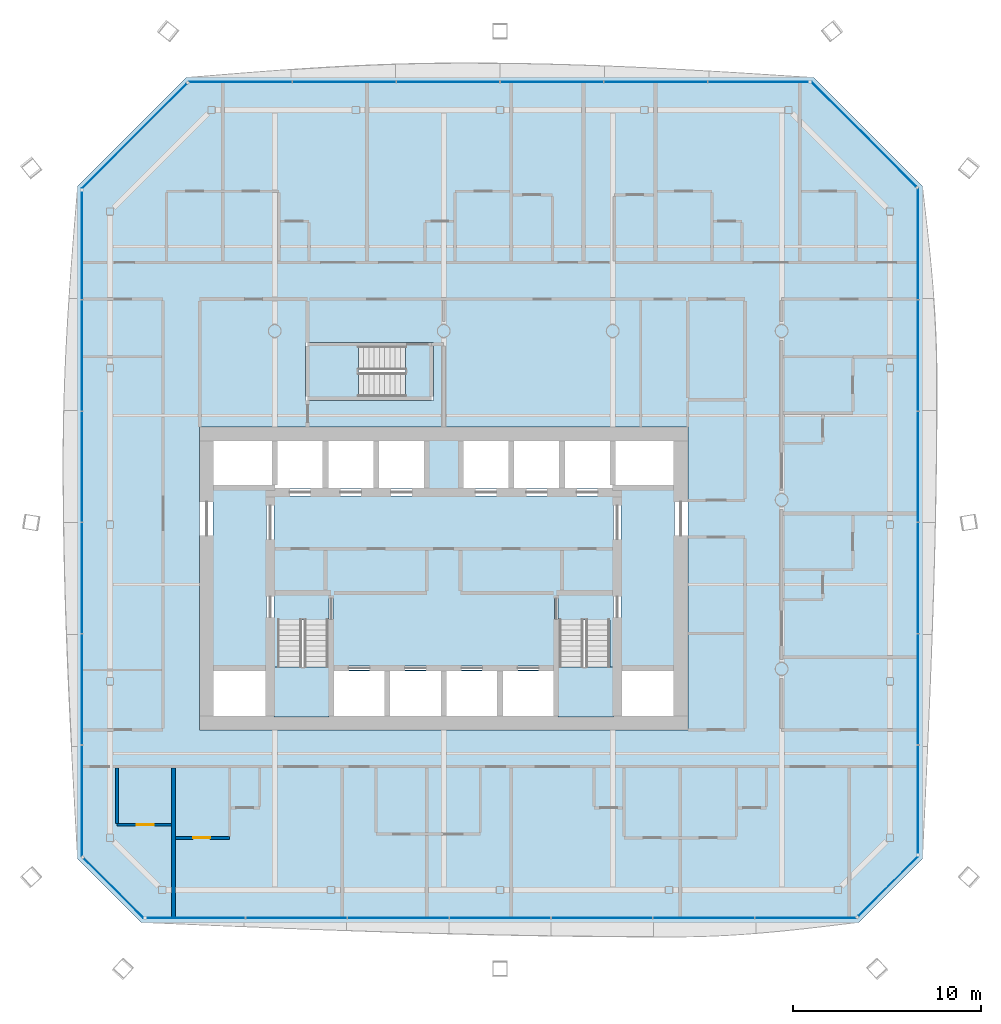
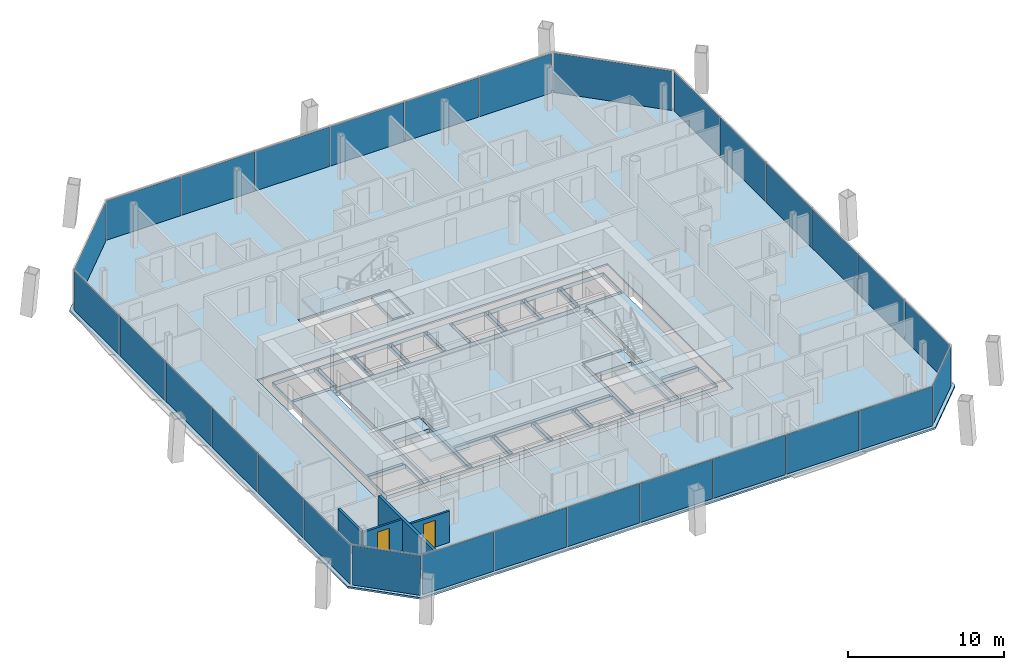
# One storey, part 12 of 21: 29 plates, 6 slabs, 4 walls, 2 doors, 2 openings, 11 elements without a shape of their own.
"""IFC4 building model written with IfcOpenShell, lengths in metres."""

from ifc_helpers import new_model, si_unit, direction, frame, frame_2d, origin, origin_2d, place, context, subcontext, project, spatial, polyline, rectangle, outline, extrude, material, layer, layer_set, type_object, element, fill, aggregate, save


model = new_model("IFC4")

# Units and contexts
model_context = context("Model", 3, precision=1e-05, world=origin(), true_north=direction((0.0, 1.0)))
body_context = subcontext(model_context, "Body", "Model", "MODEL_VIEW")
ifc_project = project(units=[si_unit("LENGTHUNIT", "METRE"), si_unit("AREAUNIT", "SQUARE_METRE"), si_unit("VOLUMEUNIT", "CUBIC_METRE"), si_unit("PLANEANGLEUNIT", "RADIAN"), si_unit("MASSUNIT", "GRAM", prefix="KILO")], contexts=[model_context])

# Site, building, storey
site_placement = place(None, origin())
site = spatial("IfcSite", under=ifc_project, at=site_placement, CompositionType="ELEMENT")
building_placement = place(site_placement, origin())
building = spatial("IfcBuilding", under=site, at=building_placement, Name="Tskaro Facet Tower", CompositionType="ELEMENT")
storey_placement = place(building_placement, frame((0.0, 0.0, 148.699951171875)))
storey = spatial("IfcBuildingStorey", under=building, at=storey_placement, Name="L36", CompositionType="ELEMENT", Elevation=148.699951171875)

# Slab
ifc_material_1 = material(Name="Concrete C30/37", Category="concrete")
ifc_layer_1 = layer(ifc_material_1, 0.139892578125, Name="Concrete C30/37")
ifc_layer_set_1 = layer_set([ifc_layer_1], Name="Concrete C30/37")
slab_type_1 = type_object("IfcSlabType", Name="Composite deck floor slab", PredefinedType="FLOOR", material=ifc_layer_set_1)
slab_1_placement = place(storey_placement, frame((0.0, 0.0, -0.139892578125)))
element("IfcSlab", 1, at=slab_1_placement, inside=storey, type_object=slab_type_1, Name="Floor slab FS3 L36", PredefinedType="FLOOR", context=body_context, shape_type="SweptSolid", body=[
    extrude(outline(polyline([(-16.0869140625, -22.52197265625), (22.0869140625, -22.52197265625), (25.52197265625, -19.0869140625), (25.52197265625, 16.696044921875), (19.696044921875, 22.52197265625), (-13.696044921875, 22.52197265625), (-19.52197265625, 16.696044921875), (-19.52197265625, -19.0869140625), (-16.0869140625, -22.52197265625)]), holes=[polyline([(-13.0, -12.25), (13.0, -12.25), (13.0, 3.89990234375), (-13.0, 3.89990234375), (-13.0, -12.25)]), polyline([(-7.35009765625, 5.300048828125), (-0.550048828125, 5.300048828125), (-0.550048828125, 8.39990234375), (-7.35009765625, 8.39990234375), (-7.35009765625, 5.300048828125)])]), origin(), (0.0, 0.0, 1.0), 0.139892578125),
])

# Curtain wall, plates
ifc_material_2 = material(Name="Bronze anodised aluminium 6063-T6", Category="aluminium")
curtain_wall_type = type_object("IfcCurtainWallType", Name="Bronze hotel curtain wall (FW2)", PredefinedType="NOTDEFINED", material=ifc_material_2)
curtain_wall_1_placement = place(storey_placement, origin())
curtain_wall_1 = element("IfcCurtainWall", 2, at=curtain_wall_1_placement, inside=storey, type_object=curtain_wall_type, Name="FW2 south facet L36", PredefinedType="NOTDEFINED")
ifc_material_3 = material(Name="Bronze solar control glass", Category="glass")
ifc_layer_2 = layer(ifc_material_3, 0.030029296875, Name="Bronze solar control glass")
ifc_layer_set_2 = layer_set([ifc_layer_2], Name="Bronze solar control glass")
plate_type = type_object("IfcPlateType", Name="FW2 bronze-tinted unit glazing 30", PredefinedType="CURTAIN_PANEL", material=ifc_layer_set_2)
plate_1_placement = place(storey_placement, frame((-13.211181640625, -22.27197265625, 0.0), z_axis=(0.0, 0.0, 1.0), x_axis=(1.0, 0.0, 0.0)))
plate_1 = element("IfcPlate", 3, at=plate_1_placement, type_object=plate_type, Name="FW2 south glazing 1.1", PredefinedType="CURTAIN_PANEL", context=body_context, shape_type="SweptSolid", body=[
    extrude(rectangle(XDim=5.24365234375, YDim=0.030029296875, at=origin_2d()), origin(), (0.0, 0.0, 1.0), 3.10009765625),
])
plate_2_placement = place(storey_placement, frame((-7.847412109375, -22.27197265625, 0.0), z_axis=(0.0, 0.0, 1.0), x_axis=(1.0, 0.0, 0.0)))
plate_2 = element("IfcPlate", 4, at=plate_2_placement, type_object=plate_type, Name="FW2 south glazing 2.1", PredefinedType="CURTAIN_PANEL", context=body_context, shape_type="SweptSolid", body=[
    extrude(rectangle(XDim=5.36376953125, YDim=0.030029296875, at=origin_2d()), origin(), (0.0, 0.0, 1.0), 3.10009765625),
])
plate_3_placement = place(storey_placement, frame((-2.423828125, -22.27197265625, 0.0), z_axis=(0.0, 0.0, 1.0), x_axis=(1.0, 0.0, 0.0)))
plate_3 = element("IfcPlate", 5, at=plate_3_placement, type_object=plate_type, Name="FW2 south glazing 3.1", PredefinedType="CURTAIN_PANEL", context=body_context, shape_type="SweptSolid", body=[
    extrude(rectangle(XDim=5.36376953125, YDim=0.030029296875, at=origin_2d()), origin(), (0.0, 0.0, 1.0), 3.10009765625),
])
plate_4_placement = place(storey_placement, frame((3.0, -22.27197265625, 0.0), z_axis=(0.0, 0.0, 1.0), x_axis=(1.0, 0.0, 0.0)))
plate_4 = element("IfcPlate", 6, at=plate_4_placement, type_object=plate_type, Name="FW2 south glazing 4.1", PredefinedType="CURTAIN_PANEL", context=body_context, shape_type="SweptSolid", body=[
    extrude(rectangle(XDim=5.36376953125, YDim=0.030029296875, at=origin_2d()), origin(), (0.0, 0.0, 1.0), 3.10009765625),
])
plate_5_placement = place(storey_placement, frame((8.423828125, -22.27197265625, 0.0), z_axis=(0.0, 0.0, 1.0), x_axis=(1.0, 0.0, 0.0)))
plate_5 = element("IfcPlate", 7, at=plate_5_placement, type_object=plate_type, Name="FW2 south glazing 5.1", PredefinedType="CURTAIN_PANEL", context=body_context, shape_type="SweptSolid", body=[
    extrude(rectangle(XDim=5.36376953125, YDim=0.030029296875, at=origin_2d()), origin(), (0.0, 0.0, 1.0), 3.10009765625),
])
plate_6_placement = place(storey_placement, frame((13.847412109375, -22.27197265625, 0.0), z_axis=(0.0, 0.0, 1.0), x_axis=(1.0, 0.0, 0.0)))
plate_6 = element("IfcPlate", 8, at=plate_6_placement, type_object=plate_type, Name="FW2 south glazing 6.1", PredefinedType="CURTAIN_PANEL", context=body_context, shape_type="SweptSolid", body=[
    extrude(rectangle(XDim=5.36376953125, YDim=0.030029296875, at=origin_2d()), origin(), (0.0, 0.0, 1.0), 3.10009765625),
])
plate_7_placement = place(storey_placement, frame((19.2861328125, -22.27197265625, 0.0), z_axis=(0.0, 0.0, 1.0), x_axis=(1.0, 0.0, 0.0)))
plate_7 = element("IfcPlate", 9, at=plate_7_placement, type_object=plate_type, Name="FW2 south glazing 7.1", PredefinedType="CURTAIN_PANEL", context=body_context, shape_type="SweptSolid", body=[
    extrude(rectangle(XDim=5.393798828125, YDim=0.030029296875, at=origin_2d()), origin(), (0.0, 0.0, 1.0), 3.10009765625),
])
aggregate(curtain_wall_1, [plate_1, plate_2, plate_3, plate_4, plate_5, plate_6, plate_7])

# Curtain wall, plate
curtain_wall_2_placement = place(storey_placement, origin())
curtain_wall_2 = element("IfcCurtainWall", 10, at=curtain_wall_2_placement, inside=storey, type_object=curtain_wall_type, Name="FW2 south-east facet L36", PredefinedType="NOTDEFINED")
plate_8_placement = place(storey_placement, frame((23.680419921875, -20.574462890625, 0.0), z_axis=(0.0, 0.0, 1.0), x_axis=(0.707106781187, 0.707106781187, 0.0)))
plate_8 = element("IfcPlate", 11, at=plate_8_placement, type_object=plate_type, Name="FW2 south-east glazing 1.1", PredefinedType="CURTAIN_PANEL", context=body_context, shape_type="SweptSolid", body=[
    extrude(rectangle(XDim=4.50146484375, YDim=0.030029296875, at=origin_2d()), origin(), (0.0, 0.0, 1.0), 3.10009765625),
])
aggregate(curtain_wall_2, [plate_8])

# Curtain wall, plates
curtain_wall_3_placement = place(storey_placement, origin())
curtain_wall_3 = element("IfcCurtainWall", 12, at=curtain_wall_3_placement, inside=storey, type_object=curtain_wall_type, Name="FW2 east facet L36", PredefinedType="NOTDEFINED")
plate_9_placement = place(storey_placement, frame((25.27197265625, -15.95849609375, 0.0), z_axis=(0.0, 0.0, 1.0), x_axis=(0.0, 1.0, 0.0)))
plate_9 = element("IfcPlate", 13, at=plate_9_placement, type_object=plate_type, Name="FW2 east glazing 1.1", PredefinedType="CURTAIN_PANEL", context=body_context, shape_type="SweptSolid", body=[
    extrude(rectangle(XDim=5.749267578125, YDim=0.030029296875, at=origin_2d()), origin(), (0.0, 0.0, 1.0), 3.10009765625),
])
plate_10_placement = place(storey_placement, frame((25.27197265625, -10.08935546875, 0.0), z_axis=(0.0, 0.0, 1.0), x_axis=(0.0, 1.0, 0.0)))
plate_10 = element("IfcPlate", 14, at=plate_10_placement, type_object=plate_type, Name="FW2 east glazing 2.1", PredefinedType="CURTAIN_PANEL", context=body_context, shape_type="SweptSolid", body=[
    extrude(rectangle(XDim=5.869140625, YDim=0.030029296875, at=origin_2d()), origin(), (0.0, 0.0, 1.0), 3.10009765625),
])
plate_11_placement = place(storey_placement, frame((25.27197265625, -4.16015625, 0.0), z_axis=(0.0, 0.0, 1.0), x_axis=(0.0, 1.0, 0.0)))
plate_11 = element("IfcPlate", 15, at=plate_11_placement, type_object=plate_type, Name="FW2 east glazing 3.1", PredefinedType="CURTAIN_PANEL", context=body_context, shape_type="SweptSolid", body=[
    extrude(rectangle(XDim=5.869140625, YDim=0.030029296875, at=origin_2d()), origin(), (0.0, 0.0, 1.0), 3.10009765625),
])
plate_12_placement = place(storey_placement, frame((25.27197265625, 1.76904296875, 0.0), z_axis=(0.0, 0.0, 1.0), x_axis=(0.0, 1.0, 0.0)))
plate_12 = element("IfcPlate", 16, at=plate_12_placement, type_object=plate_type, Name="FW2 east glazing 4.1", PredefinedType="CURTAIN_PANEL", context=body_context, shape_type="SweptSolid", body=[
    extrude(rectangle(XDim=5.869140625, YDim=0.030029296875, at=origin_2d()), origin(), (0.0, 0.0, 1.0), 3.10009765625),
])
plate_13_placement = place(storey_placement, frame((25.27197265625, 7.6982421875, 0.0), z_axis=(0.0, 0.0, 1.0), x_axis=(0.0, 1.0, 0.0)))
plate_13 = element("IfcPlate", 17, at=plate_13_placement, type_object=plate_type, Name="FW2 east glazing 5.1", PredefinedType="CURTAIN_PANEL", context=body_context, shape_type="SweptSolid", body=[
    extrude(rectangle(XDim=5.869140625, YDim=0.030029296875, at=origin_2d()), origin(), (0.0, 0.0, 1.0), 3.10009765625),
])
plate_14_placement = place(storey_placement, frame((25.27197265625, 13.642333984375, 0.0), z_axis=(0.0, 0.0, 1.0), x_axis=(0.0, 1.0, 0.0)))
plate_14 = element("IfcPlate", 18, at=plate_14_placement, type_object=plate_type, Name="FW2 east glazing 6.1", PredefinedType="CURTAIN_PANEL", context=body_context, shape_type="SweptSolid", body=[
    extrude(rectangle(XDim=5.899169921875, YDim=0.030029296875, at=origin_2d()), origin(), (0.0, 0.0, 1.0), 3.10009765625),
])
aggregate(curtain_wall_3, [plate_9, plate_10, plate_11, plate_12, plate_13, plate_14])

# Curtain wall, plate
curtain_wall_4_placement = place(storey_placement, origin())
curtain_wall_4 = element("IfcCurtainWall", 19, at=curtain_wall_4_placement, inside=storey, type_object=curtain_wall_type, Name="FW2 north-east facet L36", PredefinedType="NOTDEFINED")
plate_15_placement = place(storey_placement, frame((22.37890625, 19.485107421875, 0.0), z_axis=(0.0, 0.0, 1.0), x_axis=(-0.707106781187, 0.707106781187, 0.0)))
plate_15 = element("IfcPlate", 20, at=plate_15_placement, type_object=plate_type, Name="FW2 north-east glazing 1.1", PredefinedType="CURTAIN_PANEL", context=body_context, shape_type="SweptSolid", body=[
    extrude(rectangle(XDim=7.8828125, YDim=0.030029296875, at=origin_2d()), origin(), (0.0, 0.0, 1.0), 3.10009765625),
])
aggregate(curtain_wall_4, [plate_15])

# Curtain wall, plates
curtain_wall_5_placement = place(storey_placement, origin())
curtain_wall_5 = element("IfcCurtainWall", 21, at=curtain_wall_5_placement, inside=storey, type_object=curtain_wall_type, Name="FW2 north facet L36", PredefinedType="NOTDEFINED")
plate_16_placement = place(storey_placement, frame((16.7666015625, 22.27197265625, 0.0), z_axis=(0.0, 0.0, 1.0), x_axis=(-1.0, 0.0, 0.0)))
plate_16 = element("IfcPlate", 22, at=plate_16_placement, type_object=plate_type, Name="FW2 north glazing 1.1", PredefinedType="CURTAIN_PANEL", context=body_context, shape_type="SweptSolid", body=[
    extrude(rectangle(XDim=5.3505859375, YDim=0.030029296875, at=origin_2d()), origin(), (0.0, 0.0, 1.0), 3.10009765625),
])
plate_17_placement = place(storey_placement, frame((11.2958984375, 22.27197265625, 0.0), z_axis=(0.0, 0.0, 1.0), x_axis=(-1.0, 0.0, 0.0)))
plate_17 = element("IfcPlate", 23, at=plate_17_placement, type_object=plate_type, Name="FW2 north glazing 2.1", PredefinedType="CURTAIN_PANEL", context=body_context, shape_type="SweptSolid", body=[
    extrude(rectangle(XDim=5.470703125, YDim=0.030029296875, at=origin_2d()), origin(), (0.0, 0.0, 1.0), 3.10009765625),
])
plate_18_placement = place(storey_placement, frame((5.765380859375, 22.27197265625, 0.0), z_axis=(0.0, 0.0, 1.0), x_axis=(-1.0, 0.0, 0.0)))
plate_18 = element("IfcPlate", 24, at=plate_18_placement, type_object=plate_type, Name="FW2 north glazing 3.1", PredefinedType="CURTAIN_PANEL", context=body_context, shape_type="SweptSolid", body=[
    extrude(rectangle(XDim=5.470703125, YDim=0.030029296875, at=origin_2d()), origin(), (0.0, 0.0, 1.0), 3.10009765625),
])
plate_19_placement = place(storey_placement, frame((0.234619140625, 22.27197265625, 0.0), z_axis=(0.0, 0.0, 1.0), x_axis=(-1.0, 0.0, 0.0)))
plate_19 = element("IfcPlate", 25, at=plate_19_placement, type_object=plate_type, Name="FW2 north glazing 4.1", PredefinedType="CURTAIN_PANEL", context=body_context, shape_type="SweptSolid", body=[
    extrude(rectangle(XDim=5.470703125, YDim=0.030029296875, at=origin_2d()), origin(), (0.0, 0.0, 1.0), 3.10009765625),
])
plate_20_placement = place(storey_placement, frame((-5.2958984375, 22.27197265625, 0.0), z_axis=(0.0, 0.0, 1.0), x_axis=(-1.0, 0.0, 0.0)))
plate_20 = element("IfcPlate", 26, at=plate_20_placement, type_object=plate_type, Name="FW2 north glazing 5.1", PredefinedType="CURTAIN_PANEL", context=body_context, shape_type="SweptSolid", body=[
    extrude(rectangle(XDim=5.470703125, YDim=0.030029296875, at=origin_2d()), origin(), (0.0, 0.0, 1.0), 3.10009765625),
])
plate_21_placement = place(storey_placement, frame((-10.841552734375, 22.27197265625, 0.0), z_axis=(0.0, 0.0, 1.0), x_axis=(-1.0, 0.0, 0.0)))
plate_21 = element("IfcPlate", 27, at=plate_21_placement, type_object=plate_type, Name="FW2 north glazing 6.1", PredefinedType="CURTAIN_PANEL", context=body_context, shape_type="SweptSolid", body=[
    extrude(rectangle(XDim=5.500732421875, YDim=0.030029296875, at=origin_2d()), origin(), (0.0, 0.0, 1.0), 3.10009765625),
])
aggregate(curtain_wall_5, [plate_16, plate_17, plate_18, plate_19, plate_20, plate_21])

# Curtain wall, plate
curtain_wall_6_placement = place(storey_placement, origin())
curtain_wall_6 = element("IfcCurtainWall", 28, at=curtain_wall_6_placement, inside=storey, type_object=curtain_wall_type, Name="FW2 north-west facet L36", PredefinedType="NOTDEFINED")
plate_22_placement = place(storey_placement, frame((-16.485107421875, 19.37890625, 0.0), z_axis=(0.0, 0.0, 1.0), x_axis=(-0.707106781187, -0.707106781187, 0.0)))
plate_22 = element("IfcPlate", 29, at=plate_22_placement, type_object=plate_type, Name="FW2 north-west glazing 1.1", PredefinedType="CURTAIN_PANEL", context=body_context, shape_type="SweptSolid", body=[
    extrude(rectangle(XDim=7.8828125, YDim=0.030029296875, at=origin_2d()), origin(), (0.0, 0.0, 1.0), 3.10009765625),
])
aggregate(curtain_wall_6, [plate_22])

# Curtain wall, plates
curtain_wall_7_placement = place(storey_placement, origin())
curtain_wall_7 = element("IfcCurtainWall", 30, at=curtain_wall_7_placement, inside=storey, type_object=curtain_wall_type, Name="FW2 west facet L36", PredefinedType="NOTDEFINED")
plate_23_placement = place(storey_placement, frame((-19.27197265625, 13.5673828125, 0.0), z_axis=(0.0, 0.0, 1.0), x_axis=(0.0, -1.0, 0.0)))
plate_23 = element("IfcPlate", 31, at=plate_23_placement, type_object=plate_type, Name="FW2 west glazing 1.1", PredefinedType="CURTAIN_PANEL", context=body_context, shape_type="SweptSolid", body=[
    extrude(rectangle(XDim=5.749267578125, YDim=0.030029296875, at=origin_2d()), origin(), (0.0, 0.0, 1.0), 3.10009765625),
])
plate_24_placement = place(storey_placement, frame((-19.27197265625, 7.6982421875, 0.0), z_axis=(0.0, 0.0, 1.0), x_axis=(0.0, -1.0, 0.0)))
plate_24 = element("IfcPlate", 32, at=plate_24_placement, type_object=plate_type, Name="FW2 west glazing 2.1", PredefinedType="CURTAIN_PANEL", context=body_context, shape_type="SweptSolid", body=[
    extrude(rectangle(XDim=5.869140625, YDim=0.030029296875, at=origin_2d()), origin(), (0.0, 0.0, 1.0), 3.10009765625),
])
plate_25_placement = place(storey_placement, frame((-19.27197265625, 1.76904296875, 0.0), z_axis=(0.0, 0.0, 1.0), x_axis=(0.0, -1.0, 0.0)))
plate_25 = element("IfcPlate", 33, at=plate_25_placement, type_object=plate_type, Name="FW2 west glazing 3.1", PredefinedType="CURTAIN_PANEL", context=body_context, shape_type="SweptSolid", body=[
    extrude(rectangle(XDim=5.869140625, YDim=0.030029296875, at=origin_2d()), origin(), (0.0, 0.0, 1.0), 3.10009765625),
])
plate_26_placement = place(storey_placement, frame((-19.27197265625, -4.16015625, 0.0), z_axis=(0.0, 0.0, 1.0), x_axis=(0.0, -1.0, 0.0)))
plate_26 = element("IfcPlate", 34, at=plate_26_placement, type_object=plate_type, Name="FW2 west glazing 4.1", PredefinedType="CURTAIN_PANEL", context=body_context, shape_type="SweptSolid", body=[
    extrude(rectangle(XDim=5.869140625, YDim=0.030029296875, at=origin_2d()), origin(), (0.0, 0.0, 1.0), 3.10009765625),
])
plate_27_placement = place(storey_placement, frame((-19.27197265625, -10.08935546875, 0.0), z_axis=(0.0, 0.0, 1.0), x_axis=(0.0, -1.0, 0.0)))
plate_27 = element("IfcPlate", 35, at=plate_27_placement, type_object=plate_type, Name="FW2 west glazing 5.1", PredefinedType="CURTAIN_PANEL", context=body_context, shape_type="SweptSolid", body=[
    extrude(rectangle(XDim=5.869140625, YDim=0.030029296875, at=origin_2d()), origin(), (0.0, 0.0, 1.0), 3.10009765625),
])
plate_28_placement = place(storey_placement, frame((-19.27197265625, -16.033447265625, 0.0), z_axis=(0.0, 0.0, 1.0), x_axis=(0.0, -1.0, 0.0)))
plate_28 = element("IfcPlate", 36, at=plate_28_placement, type_object=plate_type, Name="FW2 west glazing 6.1", PredefinedType="CURTAIN_PANEL", context=body_context, shape_type="SweptSolid", body=[
    extrude(rectangle(XDim=5.899169921875, YDim=0.030029296875, at=origin_2d()), origin(), (0.0, 0.0, 1.0), 3.10009765625),
])
aggregate(curtain_wall_7, [plate_23, plate_24, plate_25, plate_26, plate_27, plate_28])

# Curtain wall, plate
curtain_wall_8_placement = place(storey_placement, origin())
curtain_wall_8 = element("IfcCurtainWall", 37, at=curtain_wall_8_placement, inside=storey, type_object=curtain_wall_type, Name="FW2 south-west facet L36", PredefinedType="NOTDEFINED")
plate_29_placement = place(storey_placement, frame((-17.574462890625, -20.680419921875, 0.0), z_axis=(0.0, 0.0, 1.0), x_axis=(0.707106781187, -0.707106781187, 0.0)))
plate_29 = element("IfcPlate", 38, at=plate_29_placement, type_object=plate_type, Name="FW2 south-west glazing 1.1", PredefinedType="CURTAIN_PANEL", context=body_context, shape_type="SweptSolid", body=[
    extrude(rectangle(XDim=4.50146484375, YDim=0.030029296875, at=origin_2d()), origin(), (0.0, 0.0, 1.0), 3.10009765625),
])
aggregate(curtain_wall_8, [plate_29])

# Stair, slab
ifc_material_4 = material(Name="Concrete C40/50", Category="concrete")
stair_type = type_object("IfcStairType", Name="ST-TWR", PredefinedType="HALF_TURN_STAIR", material=ifc_material_4)
stair_1_placement = place(storey_placement, origin())
stair_1 = element("IfcStair", 39, at=stair_1_placement, inside=storey, type_object=stair_type, Name="L36 Exit stair 1", PredefinedType="HALF_TURN_STAIR")
ifc_layer_3 = layer(ifc_material_4, 0.199951171875, Name="Concrete C40/50")
ifc_layer_set_3 = layer_set([ifc_layer_3], Name="Concrete C40/50")
slab_type_2 = type_object("IfcSlabType", Name="SL-LANDING", PredefinedType="LANDING", material=ifc_layer_set_3)
slab_2_placement = place(storey_placement, frame((0.0, 0.0, 1.5)))
slab_2 = element("IfcSlab", 40, at=slab_2_placement, type_object=slab_type_2, Name="ST-1 landing 1", PredefinedType="LANDING", context=body_context, shape_type="SweptSolid", body=[
    extrude(outline(polyline([(-9.050048828125, -11.550048828125), (-6.10009765625, -11.550048828125), (-6.10009765625, -8.89501953125), (-9.050048828125, -8.89501953125), (-9.050048828125, -11.550048828125)])), origin(), (0.0, 0.0, 1.0), 0.199951171875),
])
aggregate(stair_1, [slab_2])

stair_2_placement = place(storey_placement, origin())
stair_2 = element("IfcStair", 41, at=stair_2_placement, inside=storey, type_object=stair_type, Name="L36 Exit stair 2", PredefinedType="HALF_TURN_STAIR")
slab_3_placement = place(storey_placement, frame((0.0, 0.0, 1.5)))
slab_3 = element("IfcSlab", 42, at=slab_3_placement, type_object=slab_type_2, Name="ST-2 landing 1", PredefinedType="LANDING", context=body_context, shape_type="SweptSolid", body=[
    extrude(outline(polyline([(6.10009765625, -11.550048828125), (9.050048828125, -11.550048828125), (9.050048828125, -8.89501953125), (6.10009765625, -8.89501953125), (6.10009765625, -11.550048828125)])), origin(), (0.0, 0.0, 1.0), 0.199951171875),
])
aggregate(stair_2, [slab_3])

stair_3_placement = place(storey_placement, origin())
stair_3 = element("IfcStair", 43, at=stair_3_placement, inside=storey, type_object=stair_type, Name="L36 Exit stair 3", PredefinedType="HALF_TURN_STAIR")
slab_4_placement = place(storey_placement, frame((0.0, 0.0, 1.5)))
slab_4 = element("IfcSlab", 44, at=slab_4_placement, type_object=slab_type_2, Name="ST-3 landing 1", PredefinedType="LANDING", context=body_context, shape_type="SweptSolid", body=[
    extrude(outline(polyline([(-7.199951171875, 5.449951171875), (-4.544921875, 5.449951171875), (-4.544921875, 8.25), (-7.199951171875, 8.25), (-7.199951171875, 5.449951171875)])), origin(), (0.0, 0.0, 1.0), 0.199951171875),
])
aggregate(stair_3, [slab_4])

# Slabs
ifc_material_5 = material(Name="Concrete C60/75", Category="concrete")
ifc_layer_4 = layer(ifc_material_5, 0.300048828125, Name="Concrete C60/75")
ifc_layer_set_4 = layer_set([ifc_layer_4], Name="Concrete C60/75")
slab_type_3 = type_object("IfcSlabType", Name="SLAB-CORE", PredefinedType="FLOOR", material=ifc_layer_set_4)
slab_5_placement = place(storey_placement, frame((0.0, 0.0, -0.300048828125)))
element("IfcSlab", 45, at=slab_5_placement, inside=storey, type_object=slab_type_3, Name="Core floor slab 1", PredefinedType="FLOOR", context=body_context, shape_type="SweptSolid", body=[
    extrude(outline(polyline([(-12.300048828125, 3.199951171875), (12.300048828125, 3.199951171875), (12.300048828125, 3.10009765625), (12.300048828125, -11.449951171875), (12.300048828125, -11.550048828125), (-12.300048828125, -11.550048828125), (-12.300048828125, -11.449951171875), (-12.300048828125, 3.10009765625), (-12.300048828125, 3.199951171875)]), holes=[polyline([(-9.5, -9.10009765625), (-12.25, -9.10009765625), (-12.25, -11.5), (-9.5, -11.5), (-9.5, -9.10009765625)]), polyline([(-5.85009765625, -9.10009765625), (-5.85009765625, -11.5), (-3.14990234375, -11.5), (-3.14990234375, -9.10009765625), (-5.85009765625, -9.10009765625)]), polyline([(-12.199951171875, -9.050048828125), (-9.550048828125, -9.050048828125), (-9.550048828125, -8.85009765625), (-12.199951171875, -8.85009765625), (-12.199951171875, -9.050048828125)]), polyline([(-6.10009765625, -5.14990234375), (-6.10009765625, -11.449951171875), (-5.89990234375, -11.449951171875), (-5.89990234375, -5.14990234375), (-6.10009765625, -5.14990234375)]), polyline([(-9.449951171875, 0.10009765625), (-9.449951171875, -11.449951171875), (-9.050048828125, -11.449951171875), (-9.050048828125, 0.10009765625), (-9.449951171875, 0.10009765625)]), polyline([(-8.949951171875, -5.050048828125), (-6.050048828125, -5.050048828125), (-6.050048828125, -4.85009765625), (-8.949951171875, -4.85009765625), (-8.949951171875, -5.050048828125)]), polyline([(9.449951171875, 0.199951171875), (9.449951171875, 0.550048828125), (12.199951171875, 0.550048828125), (12.199951171875, 0.75), (9.050048828125, 0.75), (9.050048828125, 0.60009765625), (-9.050048828125, 0.60009765625), (-9.050048828125, 0.75), (-12.199951171875, 0.75), (-12.199951171875, 0.550048828125), (-9.449951171875, 0.550048828125), (-9.449951171875, 0.199951171875), (9.449951171875, 0.199951171875)]), polyline([(-8.85009765625, 0.800048828125), (-9.0, 0.800048828125), (-9.0, 0.64990234375), (-6.449951171875, 0.64990234375), (-6.449951171875, 3.14990234375), (-8.85009765625, 3.14990234375), (-8.85009765625, 0.800048828125)]), polyline([(-6.14990234375, 0.64990234375), (-3.75, 0.64990234375), (-3.75, 3.14990234375), (-6.14990234375, 3.14990234375), (-6.14990234375, 0.64990234375)]), polyline([(-6.39990234375, 3.10009765625), (-6.39990234375, 0.699951171875), (-6.199951171875, 0.699951171875), (-6.199951171875, 3.10009765625), (-6.39990234375, 3.10009765625)]), polyline([(-9.14990234375, 3.14990234375), (-12.25, 3.14990234375), (-12.25, 0.800048828125), (-9.14990234375, 0.800048828125), (-9.14990234375, 3.14990234375)]), polyline([(-9.10009765625, 0.85009765625), (-8.89990234375, 0.85009765625), (-8.89990234375, 3.10009765625), (-9.10009765625, 3.10009765625), (-9.10009765625, 0.85009765625)]), polyline([(-3.10009765625, -11.449951171875), (-2.89990234375, -11.449951171875), (-2.89990234375, -9.14990234375), (-3.10009765625, -9.14990234375), (-3.10009765625, -11.449951171875)]), polyline([(-0.14990234375, -9.10009765625), (-2.85009765625, -9.10009765625), (-2.85009765625, -11.5), (-0.14990234375, -11.5), (-0.14990234375, -9.10009765625)]), polyline([(-0.10009765625, -9.14990234375), (-0.10009765625, -11.449951171875), (0.10009765625, -11.449951171875), (0.10009765625, -9.14990234375), (-0.10009765625, -9.14990234375)]), polyline([(0.14990234375, -9.10009765625), (0.14990234375, -11.5), (2.85009765625, -11.5), (2.85009765625, -9.10009765625), (0.14990234375, -9.10009765625)]), polyline([(-5.800048828125, -8.85009765625), (-5.800048828125, -9.050048828125), (5.800048828125, -9.050048828125), (5.800048828125, -8.85009765625), (-5.800048828125, -8.85009765625)]), polyline([(-1.050048828125, 0.64990234375), (-1.050048828125, 3.14990234375), (-3.449951171875, 3.14990234375), (-3.449951171875, 0.64990234375), (-1.050048828125, 0.64990234375)]), polyline([(3.449951171875, 0.64990234375), (3.449951171875, 3.14990234375), (1.050048828125, 3.14990234375), (1.050048828125, 0.64990234375), (3.449951171875, 0.64990234375)]), polyline([(-3.699951171875, 0.699951171875), (-3.5, 0.699951171875), (-3.5, 3.10009765625), (-3.699951171875, 3.10009765625), (-3.699951171875, 0.699951171875)]), polyline([(-1.0, 3.10009765625), (-1.0, 0.699951171875), (-0.800048828125, 0.699951171875), (-0.800048828125, 3.10009765625), (-1.0, 3.10009765625)]), polyline([(0.800048828125, 3.10009765625), (0.800048828125, 0.699951171875), (1.0, 0.699951171875), (1.0, 3.10009765625), (0.800048828125, 3.10009765625)]), polyline([(2.89990234375, -11.449951171875), (3.10009765625, -11.449951171875), (3.10009765625, -9.14990234375), (2.89990234375, -9.14990234375), (2.89990234375, -11.449951171875)]), polyline([(5.85009765625, -9.10009765625), (3.14990234375, -9.10009765625), (3.14990234375, -11.5), (5.85009765625, -11.5), (5.85009765625, -9.10009765625)]), polyline([(12.25, -11.5), (12.25, -9.10009765625), (9.5, -9.10009765625), (9.5, -11.5), (12.25, -11.5)]), polyline([(9.550048828125, -9.050048828125), (12.199951171875, -9.050048828125), (12.199951171875, -8.85009765625), (9.550048828125, -8.85009765625), (9.550048828125, -9.050048828125)]), polyline([(5.89990234375, -5.14990234375), (5.89990234375, -11.449951171875), (6.10009765625, -11.449951171875), (6.10009765625, -5.14990234375), (5.89990234375, -5.14990234375)]), polyline([(9.050048828125, 0.10009765625), (9.050048828125, -11.449951171875), (9.449951171875, -11.449951171875), (9.449951171875, 0.10009765625), (9.050048828125, 0.10009765625)]), polyline([(6.050048828125, -5.050048828125), (8.949951171875, -5.050048828125), (8.949951171875, -4.85009765625), (6.050048828125, -4.85009765625), (6.050048828125, -5.050048828125)]), polyline([(6.14990234375, 0.64990234375), (6.14990234375, 3.14990234375), (3.75, 3.14990234375), (3.75, 0.64990234375), (6.14990234375, 0.64990234375)]), polyline([(9.0, 0.800048828125), (8.85009765625, 0.800048828125), (8.85009765625, 3.14990234375), (6.449951171875, 3.14990234375), (6.449951171875, 0.64990234375), (9.0, 0.64990234375), (9.0, 0.800048828125)]), polyline([(3.5, 3.10009765625), (3.5, 0.699951171875), (3.699951171875, 0.699951171875), (3.699951171875, 3.10009765625), (3.5, 3.10009765625)]), polyline([(6.199951171875, 0.699951171875), (6.39990234375, 0.699951171875), (6.39990234375, 3.10009765625), (6.199951171875, 3.10009765625), (6.199951171875, 0.699951171875)]), polyline([(8.89990234375, 3.10009765625), (8.89990234375, 0.85009765625), (9.10009765625, 0.85009765625), (9.10009765625, 3.10009765625), (8.89990234375, 3.10009765625)]), polyline([(9.14990234375, 0.800048828125), (12.25, 0.800048828125), (12.25, 3.14990234375), (9.14990234375, 3.14990234375), (9.14990234375, 0.800048828125)]), polyline([(-8.85009765625, -11.5), (-6.14990234375, -11.5), (-6.14990234375, -6.39501953125), (-8.85009765625, -6.39501953125), (-8.85009765625, -11.5)]), polyline([(6.14990234375, -6.39501953125), (6.14990234375, -11.5), (8.85009765625, -11.5), (8.85009765625, -6.39501953125), (6.14990234375, -6.39501953125)])]), origin(), (0.0, 0.0, 1.0), 0.300048828125),
])
slab_6_placement = place(storey_placement, frame((0.0, 0.0, -0.300048828125)))
element("IfcSlab", 46, at=slab_6_placement, inside=storey, type_object=slab_type_3, Name="Stair 3 floor landing 1", PredefinedType="FLOOR", context=body_context, shape_type="SweptSolid", body=[
    extrude(outline(polyline([(-2.02490234375, 5.449951171875), (-0.699951171875, 5.449951171875), (-0.699951171875, 8.25), (-2.02490234375, 8.25), (-2.02490234375, 5.449951171875)])), origin(), (0.0, 0.0, 1.0), 0.300048828125),
])

# Wall, opening, door
ifc_material_6 = material(Name="Gypsum board on steel studs", Category="steel")
ifc_layer_5 = layer(ifc_material_6, 0.14990234375, Name="Gypsum board on steel studs")
ifc_layer_set_5 = layer_set([ifc_layer_5], Name="Gypsum board on steel studs")
wall_type_1 = type_object("IfcWallType", Name="PART-CORR", PredefinedType="PARTITIONING", material=ifc_layer_set_5)
wall_1_placement = place(storey_placement, frame((-14.299072265625, -18.0, 0.0), z_axis=(0.0, 0.0, 1.0), x_axis=(1.0, 0.0, 0.0)))
wall_1 = element("IfcWall", 47, at=wall_1_placement, inside=storey, type_object=wall_type_1, Name="Corridor wall W001", PredefinedType="PARTITIONING", context=body_context, shape_type="SweptSolid", body=[
    extrude(rectangle(XDim=2.900146484375, YDim=0.14990234375, at=frame_2d((1.4501953125, 0.0))), origin(), (0.0, 0.0, 1.0), 2.4599609375),
])
opening_1_placement = place(wall_1_placement, frame((0.949951171875, 0.0, 0.0)))
opening_1 = element("IfcOpeningElement", 48, at=opening_1_placement, cuts=wall_1, Name="Opening T10-D01", PredefinedType="OPENING", context=body_context, shape_type="SweptSolid", body=[
    extrude(rectangle(XDim=0.89990234375, YDim=2.10009765625, at=frame_2d((0.449951171875, 1.050048828125))), frame((0.0, 0.0849609375, 0.0), z_axis=(0.0, -1.0, 0.0), x_axis=(1.0, 0.0, 0.0)), (0.0, 0.0, 1.0), 0.169921875),
])
ifc_material_7 = material(Name="Timber", Category="wood")
door_type = type_object("IfcDoorType", Name="D-ROOM", OperationType="NOTDEFINED", PredefinedType="DOOR", material=ifc_material_7)
door_1_placement = place(opening_1_placement, origin())
door_1 = element("IfcDoor", 49, at=door_1_placement, inside=storey, type_object=door_type, Name="Door T10-D01", OperationType="SINGLE_SWING_LEFT", OverallHeight=2.10009765625, OverallWidth=0.89990234375, PredefinedType="DOOR", context=body_context, shape_type="SweptSolid", body=[
    extrude(rectangle(XDim=0.89990234375, YDim=2.10009765625, at=frame_2d((0.449951171875, 1.050048828125))), frame((0.0, 0.02490234375, 0.0), z_axis=(0.0, -1.0, 0.0), x_axis=(1.0, 0.0, 0.0)), (0.0, 0.0, 1.0), 0.050048828125),
])
fill(opening_1, door_1)

wall_2_placement = place(storey_placement, frame((-17.39892578125, -17.300048828125, 0.0), z_axis=(0.0, 0.0, 1.0), x_axis=(1.0, 0.0, 0.0)))
wall_2 = element("IfcWall", 50, at=wall_2_placement, inside=storey, type_object=wall_type_1, Name="Corridor wall W004", PredefinedType="PARTITIONING", context=body_context, shape_type="SweptSolid", body=[
    extrude(rectangle(XDim=2.89990234375, YDim=0.14990234375, at=frame_2d((1.449951171875, 0.0))), origin(), (0.0, 0.0, 1.0), 2.4599609375),
])
opening_2_placement = place(wall_2_placement, frame((1.050048828125, 0.0, 0.0)))
opening_2 = element("IfcOpeningElement", 51, at=opening_2_placement, cuts=wall_2, Name="Opening T10-D06", PredefinedType="OPENING", context=body_context, shape_type="SweptSolid", body=[
    extrude(rectangle(XDim=0.89990234375, YDim=2.10009765625, at=frame_2d((0.449951171875, 1.050048828125))), frame((0.0, 0.0849609375, 0.0), z_axis=(0.0, -1.0, 0.0), x_axis=(1.0, 0.0, 0.0)), (0.0, 0.0, 1.0), 0.169921875),
])
door_2_placement = place(opening_2_placement, origin())
door_2 = element("IfcDoor", 52, at=door_2_placement, inside=storey, type_object=door_type, Name="Door T10-D06", OperationType="SINGLE_SWING_LEFT", OverallHeight=2.10009765625, OverallWidth=0.89990234375, PredefinedType="DOOR", context=body_context, shape_type="SweptSolid", body=[
    extrude(rectangle(XDim=0.89990234375, YDim=2.10009765625, at=frame_2d((0.449951171875, 1.050048828125))), frame((0.0, 0.02490234375, 0.0), z_axis=(0.0, -1.0, 0.0), x_axis=(1.0, 0.0, 0.0)), (0.0, 0.0, 1.0), 0.050048828125),
])
fill(opening_2, door_2)

# Walls
wall_3_placement = place(storey_placement, frame((-17.39892578125, -17.22509765625, 0.0), z_axis=(0.0, 0.0, 1.0), x_axis=(0.0, 1.0, 0.0)))
element("IfcWall", 53, at=wall_3_placement, inside=storey, type_object=wall_type_1, Name="Corridor wall W054", PredefinedType="PARTITIONING", context=body_context, shape_type="SweptSolid", body=[
    extrude(rectangle(XDim=2.9501953125, YDim=0.14990234375, at=frame_2d((1.47509765625, 0.0))), origin(), (0.0, 0.0, 1.0), 2.4599609375),
])
ifc_layer_6 = layer(ifc_material_6, 0.199951171875, Name="Gypsum board on steel studs")
ifc_layer_set_6 = layer_set([ifc_layer_6], Name="Gypsum board on steel studs")
wall_type_2 = type_object("IfcWallType", Name="PART-DEMISING", PredefinedType="PARTITIONING", material=ifc_layer_set_6)
wall_4_placement = place(storey_placement, frame((-14.39892578125, -22.221923828125, 0.0), z_axis=(0.0, 0.0, 1.0), x_axis=(0.0, 1.0, 0.0)))
element("IfcWall", 54, at=wall_4_placement, inside=storey, type_object=wall_type_2, Name="Guest room wall W057", PredefinedType="PARTITIONING", context=body_context, shape_type="SweptSolid", body=[
    extrude(rectangle(XDim=7.947021484375, YDim=0.199951171875, at=frame_2d((3.9736328125, 0.0))), origin(), (0.0, 0.0, 1.0), 2.4599609375),
])

save(model, "model.ifc")
